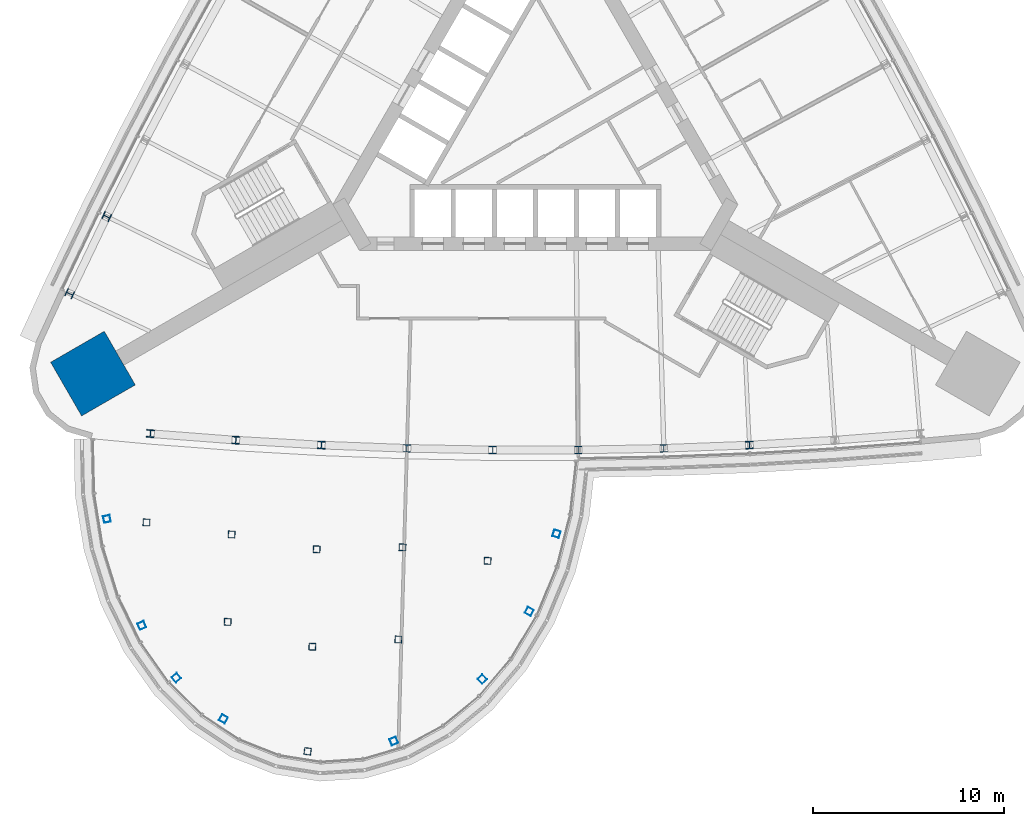
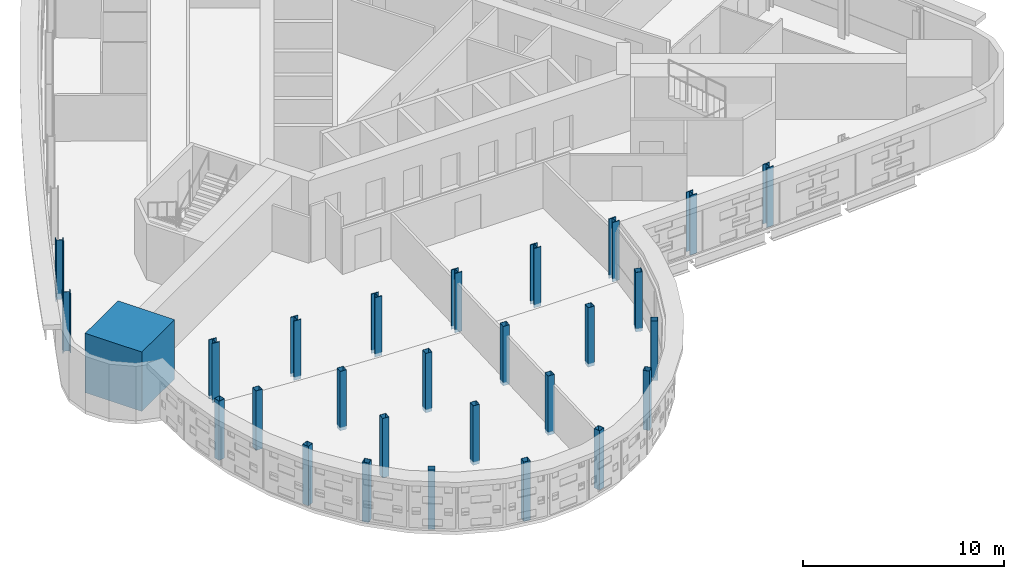
# One storey, part 1 of 15: 28 columns.
"""IFC4 building model written with IfcOpenShell, lengths in metres."""

from ifc_helpers import new_model, si_unit, direction, frame, origin, origin_2d, place, context, subcontext, project, spatial, rectangle, hollow_rectangle, i_section, extrude, material, material_profile, profile_set, type_object, element, save


model = new_model("IFC4")

# Units and contexts
model_context = context("Model", 3, precision=1e-05, world=origin(), true_north=direction((0.0, 1.0)))
body_context = subcontext(model_context, "Body", "Model", "MODEL_VIEW")
ifc_project = project(units=[si_unit("LENGTHUNIT", "METRE"), si_unit("AREAUNIT", "SQUARE_METRE"), si_unit("VOLUMEUNIT", "CUBIC_METRE"), si_unit("PLANEANGLEUNIT", "RADIAN"), si_unit("MASSUNIT", "GRAM", prefix="KILO")], contexts=[model_context])

# Site, building, storey
site_placement = place(None, origin())
site = spatial("IfcSite", under=ifc_project, at=site_placement, CompositionType="ELEMENT")
building_placement = place(site_placement, origin())
building = spatial("IfcBuilding", under=site, at=building_placement, Name="Noor Cloister Tower", CompositionType="ELEMENT")
storey_placement = place(building_placement, frame((0.0, 0.0, 58.199951171875)))
storey = spatial("IfcBuildingStorey", under=building, at=storey_placement, Name="L14", CompositionType="ELEMENT", Elevation=58.199951171875)

# Columns
ifc_material_1 = material(Name="Steel ASTM A992 Gr 50", Category="steel")
ifc_material_profile_1 = material_profile(ifc_material_1, i_section(OverallWidth=0.404052734375, OverallDepth=0.406005859375, WebThickness=0.027099609375, FlangeThickness=0.043701171875, FilletRadius=0.01513671875, at=origin_2d()), Name="W360x347")
ifc_profile_set_1 = profile_set([ifc_material_profile_1], Name="Steel ASTM A992 Gr 50")
column_type_1 = type_object("IfcColumnType", Name="Column W360x347", PredefinedType="COLUMN", material=ifc_profile_set_1)
for number, where, z_axis, x_axis, name in (
    (1, (-22.46923828125, -5.157958984375, -0.199951171875), (0.0, 0.0, 1.0), (-0.441044131004, -0.897485417434, 0.0), "Column NW 09 L14"),
    (2, (-24.41064453125, -9.205810546875, -0.199951171875), (0.0, 0.0, 1.0), (-0.423826109857, -0.905743577732, 0.0), "Column NW 10 L14"),
    (3, (-20.177978515625, -16.537353515625, -0.199951171875), (0.0, 0.0, 1.0), (0.996310002559, -0.085827610942, 0.0), "Column S 01 L14"),
    (4, (-15.70166015625, -16.8798828125, -0.199951171875), (0.0, 0.0, 1.0), (0.997767236526, -0.066787287078, 0.0), "Column S 02 L14"),
    (5, (-11.219482421875, -17.136962890625, -0.199951171875), (0.0, 0.0, 1.0), (0.998860627223, -0.047722608731, 0.0), "Column S 03 L14"),
    (6, (-6.7333984375, -17.308349609375, -0.199951171875), (0.0, 0.0, 1.0), (0.999589775937, -0.028640527978, 0.0), "Column S 04 L14"),
    (7, (-2.24462890625, -17.39404296875, -0.199951171875), (0.0, 0.0, 1.0), (0.999954416778, -0.009548003243, 0.0), "Column S 05 L14"),
    (8, (2.24462890625, -17.39404296875, -0.199951171875), (0.0, 0.0, 1.0), (0.999954416778, 0.009548003243, 0.0), "Column S 06 L14"),
    (9, (6.7333984375, -17.308349609375, -0.199951171875), (0.0, 0.0, 1.0), (0.999589775937, 0.028640527978, 0.0), "Column S 07 L14"),
    (10, (11.219482421875, -17.136962890625, -0.199951171875), (0.0, 0.0, 1.0), (0.998860627223, 0.047722608731, 0.0), "Column S 08 L14"),
):
    element("IfcColumn", number, at=place(storey_placement, frame(where, z_axis=z_axis, x_axis=x_axis)), inside=storey, type_object=column_type_1, Name=name, PredefinedType="COLUMN", context=body_context, shape_type="SweptSolid", body=[
        extrude(i_section(OverallWidth=0.404052734375, OverallDepth=0.406005859375, WebThickness=0.027099609375, FlangeThickness=0.043701171875, FilletRadius=0.01513671875, at=origin_2d()), origin(), (0.0, 0.0, 1.0), 3.60009765625),
    ])
ifc_material_2 = material(Name="Concrete C80/95", Category="concrete")
ifc_material_profile_2 = material_profile(ifc_material_2, rectangle(XDim=3.25, YDim=3.25, at=origin_2d()), Name="RC 3250x3250")
ifc_profile_set_2 = profile_set([ifc_material_profile_2], Name="Concrete C80/95")
column_type_2 = type_object("IfcColumnType", Name="Corner pier 3250 x 3250 C80/95", PredefinedType="COLUMN", material=ifc_profile_set_2)
column_placement = place(storey_placement, frame((-23.192138671875, -13.389892578125, -0.199951171875), z_axis=(0.0, 0.0, 1.0), x_axis=(-0.866025403784, -0.5, 0.0)))
element("IfcColumn", 11, at=column_placement, inside=storey, type_object=column_type_2, Name="Corner pier SW L14", PredefinedType="COLUMN", context=body_context, shape_type="SweptSolid", body=[
    extrude(rectangle(XDim=3.25, YDim=3.25, at=origin_2d()), origin(), (0.0, 0.0, 1.0), 3.60009765625),
])
ifc_material_3 = material(Name="Steel ASTM A500 Gr C", Category="steel")
ifc_material_profile_3 = material_profile(ifc_material_3, hollow_rectangle(XDim=0.35595703125, YDim=0.35595703125, WallThickness=0.0126953125, at=origin_2d()), Name="HSS355.6x355.6x12.7")
ifc_profile_set_3 = profile_set([ifc_material_profile_3], Name="Steel ASTM A500 Gr C")
column_type_3 = type_object("IfcColumnType", Name="Pod post HSS355.6x355.6x12.7", PredefinedType="COLUMN", material=ifc_profile_set_3)
for number, where, z_axis, x_axis, name in (
    (12, (-20.38623046875, -21.193115234375, -0.199951171875), (0.0, 0.0, 1.0), (-0.044724271648, -0.998999369132, 0.0), "Pod post 1 L14 line 1 node 1"),
    (13, (-15.9228515625, -21.82275390625, -0.199951171875), (0.0, 0.0, 1.0), (-0.044724271648, -0.998999369132, 0.0), "Pod post 1 L14 line 2 node 1"),
    (14, (-16.1279296875, -26.40625, -0.199951171875), (0.0, 0.0, 1.0), (-0.044724271648, -0.998999369132, 0.0), "Pod post 1 L14 line 2 node 2"),
    (15, (-11.464111328125, -22.60009765625, -0.199951171875), (0.0, 0.0, 1.0), (-0.044724271648, -0.998999369132, 0.0), "Pod post 1 L14 line 3 node 1"),
    (16, (-11.692626953125, -27.707275390625, -0.199951171875), (0.0, 0.0, 1.0), (-0.044724271648, -0.998999369132, 0.0), "Pod post 1 L14 line 3 node 2"),
    (17, (-6.965576171875, -22.4970703125, -0.199951171875), (0.0, 0.0, 1.0), (-0.044724271648, -0.998999369132, 0.0), "Pod post 1 L14 line 4 node 1"),
    (18, (-7.181884765625, -27.327392578125, -0.199951171875), (0.0, 0.0, 1.0), (-0.044724271648, -0.998999369132, 0.0), "Pod post 1 L14 line 4 node 2"),
    (19, (-2.5048828125, -23.20458984375, -0.199951171875), (0.0, 0.0, 1.0), (-0.044724271648, -0.998999369132, 0.0), "Pod post 1 L14 line 5 node 1"),
    (20, (-22.458251953125, -21.009521484375, -0.199951171875), (0.0, 0.0, 1.0), (0.199784732391, -0.979839813798, 0.0), "Pod post 1 L14 ring 2"),
    (21, (-20.6279296875, -26.590576171875, -0.199951171875), (0.0, 0.0, 1.0), (0.400492107305, -0.91630020844, 0.0), "Pod post 1 L14 ring 3"),
    (22, (-18.82080078125, -29.33154296875, -0.199951171875), (0.0, 0.0, 1.0), (0.656895642858, -0.753981507992, 0.0), "Pod post 1 L14 ring 4"),
    (23, (-16.355712890625, -31.494140625, -0.199951171875), (0.0, 0.0, 1.0), (0.872197636381, -0.489153639556, 0.0), "Pod post 1 L14 ring 5"),
    (24, (-11.938232421875, -33.191650390625, -0.199951171875), (0.0, 0.0, 1.0), (0.991693765435, -0.128621442994, 0.0), "Pod post 1 L14 ring 6"),
    (25, (-7.42041015625, -32.653076171875, -0.199951171875), (0.0, 0.0, 1.0), (0.924064089227, 0.382237568798, 0.0), "Pod post 1 L14 ring 7"),
    (26, (-2.782470703125, -29.404296875, -0.199951171875), (0.0, 0.0, 1.0), (0.722456554372, 0.691416319625, 0.0), "Pod post 1 L14 ring 8"),
    (27, (-0.32275390625, -25.8603515625, -0.199951171875), (0.0, 0.0, 1.0), (0.454860564449, 0.890562668715, 0.0), "Pod post 1 L14 ring 9"),
    (28, (1.108154296875, -21.787109375, -0.199951171875), (0.0, 0.0, 1.0), (0.291129933307, 0.956683522348, 0.0), "Pod post 1 L14 ring 10"),
):
    element("IfcColumn", number, at=place(storey_placement, frame(where, z_axis=z_axis, x_axis=x_axis)), inside=storey, type_object=column_type_3, Name=name, PredefinedType="COLUMN", context=body_context, shape_type="SweptSolid", body=[
        extrude(hollow_rectangle(XDim=0.35595703125, YDim=0.35595703125, WallThickness=0.0126953125, at=origin_2d()), origin(), (0.0, 0.0, 1.0), 3.60009765625),
    ])

save(model, "model.ifc")
